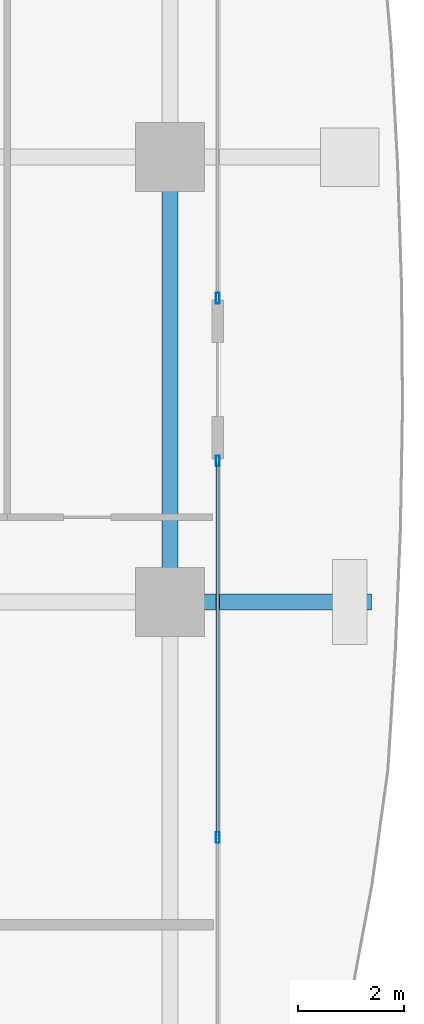
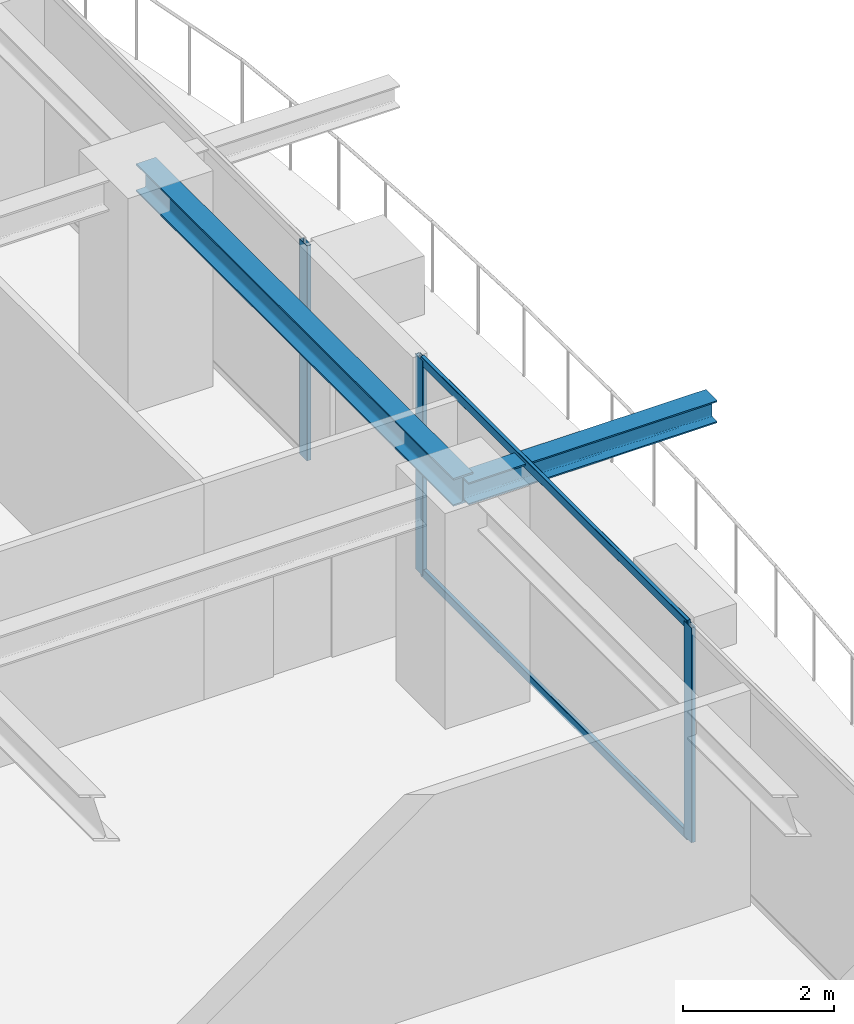
# One storey, part 14 of 36: 5 members, 2 beams, 2 elements without a shape of their own.
"""IFC4 building model written with IfcOpenShell, lengths in metres."""

from ifc_helpers import new_model, si_unit, direction, frame, origin, origin_2d, place, context, subcontext, project, spatial, hollow_rectangle, i_section, extrude, source, transform, mapped, material, layer, layer_set, material_profile, profile_set, type_object, element, aggregate, save


model = new_model("IFC4")

# Units and contexts
model_context = context("Model", 3, precision=1e-05, world=origin(), true_north=direction((0.0, 1.0)))
body_context = subcontext(model_context, "Body", "Model", "MODEL_VIEW")
ifc_project = project(units=[si_unit("LENGTHUNIT", "METRE"), si_unit("AREAUNIT", "SQUARE_METRE"), si_unit("VOLUMEUNIT", "CUBIC_METRE"), si_unit("PLANEANGLEUNIT", "RADIAN"), si_unit("MASSUNIT", "GRAM", prefix="KILO")], contexts=[model_context])

# Site, building, storey
site_placement = place(None, origin())
site = spatial("IfcSite", under=ifc_project, at=site_placement, CompositionType="ELEMENT")
building_placement = place(site_placement, origin())
building = spatial("IfcBuilding", under=site, at=building_placement, Name="Serunith Strait Residences", CompositionType="ELEMENT")
storey_placement = place(building_placement, frame((0.0, 0.0, 146.39990234375)))
storey = spatial("IfcBuildingStorey", under=building, at=storey_placement, Name="L36", CompositionType="ELEMENT", Elevation=146.39990234375)

# Beams
ifc_material_1 = material(Name="Steel S355J2", Category="steel")
ifc_material_profile_1 = material_profile(ifc_material_1, i_section(OverallWidth=0.300048828125, OverallDepth=0.449951171875, WebThickness=0.013916015625, FlangeThickness=0.02587890625, FilletRadius=0.027099609375, at=origin_2d()), Name="HEB 450")
ifc_profile_set_1 = profile_set([ifc_material_profile_1], Name="Steel S355J2")
beam_type_1 = type_object("IfcBeamType", Name="BM-HEB450", PredefinedType="BEAM", material=ifc_profile_set_1)
shared_shape_1 = source(origin(), body_context, "Body", "SweptSolid", [
    extrude(i_section(OverallWidth=0.300048828125, OverallDepth=0.449951171875, WebThickness=0.013916015625, FlangeThickness=0.02587890625, FilletRadius=0.027099609375, at=origin_2d()), origin(), (0.0, 0.0, 1.0), 8.39990234375),
])
beam_1_placement = place(storey_placement, frame((56.10009765625, 21.0, 3.26220703125), z_axis=(0.0, 1.0, 0.0), x_axis=(-1.0, 0.0, 0.0)))
element("IfcBeam", 1, at=beam_1_placement, inside=storey, type_object=beam_type_1, Name="L36 Perimeter Ring Beam 06", PredefinedType="BEAM", context=body_context, shape_type="MappedRepresentation", body=[
    mapped(shared_shape_1, transform((0.0, 0.0, 0.0), scale=1.0)),
])
ifc_material_profile_2 = material_profile(ifc_material_1, i_section(OverallWidth=0.300048828125, OverallDepth=0.360107421875, WebThickness=0.012451171875, FlangeThickness=0.0224609375, FilletRadius=0.027099609375, at=origin_2d()), Name="HEB 360")
ifc_profile_set_2 = profile_set([ifc_material_profile_2], Name="Steel S355J2")
beam_type_2 = type_object("IfcBeamType", Name="BM-HEB360", PredefinedType="BEAM", material=ifc_profile_set_2)
shared_shape_2 = source(origin(), body_context, "Body", "SweptSolid", [
    extrude(i_section(OverallWidth=0.300048828125, OverallDepth=0.360107421875, WebThickness=0.012451171875, FlangeThickness=0.0224609375, FilletRadius=0.027099609375, at=origin_2d()), origin(), (0.0, 0.0, 1.0), 3.7998046875),
])
beam_2_placement = place(storey_placement, frame((56.10009765625, 21.0, 3.277099609375), z_axis=(1.0, 0.0, 0.0), x_axis=(0.0, 1.0, 0.0)))
element("IfcBeam", 2, at=beam_2_placement, inside=storey, type_object=beam_type_2, Name="L37 Cantilevered Balcony Rib TC-E2", PredefinedType="BEAM", context=body_context, shape_type="MappedRepresentation", body=[
    mapped(shared_shape_2, transform((0.0, 0.0, 0.0), scale=1.0)),
])

# Curtain wall, members
ifc_material_2 = material(Name="Pale-Champagne Anodised Aluminium", Category="aluminium")
ifc_layer = layer(ifc_material_2, 0.199951171875, Name="Pale-Champagne Anodised Aluminium")
ifc_layer_set = layer_set([ifc_layer], Name="Pale-Champagne Anodised Aluminium")
curtain_wall_type = type_object("IfcCurtainWallType", Name="CW-SYS2", PredefinedType="NOTDEFINED", material=ifc_layer_set)
curtain_wall_1_placement = place(storey_placement, origin())
curtain_wall_1 = element("IfcCurtainWall", 3, at=curtain_wall_1_placement, inside=storey, type_object=curtain_wall_type, Name="L36 E Unitised Fritted Curtain Wall", PredefinedType="NOTDEFINED")
ifc_material_profile_3 = material_profile(ifc_material_2, hollow_rectangle(XDim=0.070068359375, YDim=0.199951171875, WallThickness=0.00390625, InnerFilletRadius=0.006103515625, OuterFilletRadius=0.010009765625, at=origin_2d()), Name="ALU 200x70x4")
ifc_profile_set_3 = profile_set([ifc_material_profile_3], Name="Pale-Champagne Anodised Aluminium")
member_type_1 = type_object("IfcMemberType", Name="CW-SYS2-MULL", PredefinedType="MULLION", material=ifc_profile_set_3)
shared_shape_3 = source(origin(), body_context, "Body", "SweptSolid", [
    extrude(hollow_rectangle(XDim=0.070068359375, YDim=0.199951171875, WallThickness=0.00390625, InnerFilletRadius=0.006103515625, OuterFilletRadius=0.010009765625, at=origin_2d()), origin(), (0.0, 0.0, 1.0), 3.47509765625),
])
member_1_placement = place(storey_placement, frame((57.0, 16.550048828125, 0.0), z_axis=(0.0, 0.0, 1.0), x_axis=(-1.0, 0.0, 0.0)))
member_1 = element("IfcMember", 4, at=member_1_placement, type_object=member_type_1, Name="CW-2 mullion 2", PredefinedType="MULLION", context=body_context, shape_type="MappedRepresentation", body=[
    mapped(shared_shape_3, transform((0.0, 0.0, 0.0), scale=1.0)),
])
member_2_placement = place(storey_placement, frame((57.0, 23.6650390625, 0.0), z_axis=(0.0, 0.0, 1.0), x_axis=(-1.0, 0.0, 0.0)))
member_2 = element("IfcMember", 5, at=member_2_placement, type_object=member_type_1, Name="CW-2 mullion 3", PredefinedType="MULLION", context=body_context, shape_type="MappedRepresentation", body=[
    mapped(shared_shape_3, transform((0.0, 0.0, 0.0), scale=1.0)),
])

# Curtain wall, member
curtain_wall_2_placement = place(storey_placement, origin())
curtain_wall_2 = element("IfcCurtainWall", 6, at=curtain_wall_2_placement, inside=storey, type_object=curtain_wall_type, Name="L36 E Unitised Fritted Curtain Wall", PredefinedType="NOTDEFINED")
member_3_placement = place(storey_placement, frame((57.0, 26.735107421875, 0.0), z_axis=(0.0, 0.0, 1.0), x_axis=(-1.0, 0.0, 0.0)))
member_3 = element("IfcMember", 7, at=member_3_placement, type_object=member_type_1, Name="CW-2 mullion 1", PredefinedType="MULLION", context=body_context, shape_type="MappedRepresentation", body=[
    mapped(shared_shape_3, transform((0.0, 0.0, 0.0), scale=1.0)),
])
aggregate(curtain_wall_2, [member_3])

# Member
ifc_material_profile_4 = material_profile(ifc_material_2, hollow_rectangle(XDim=0.06005859375, YDim=0.139892578125, WallThickness=0.00341796875, InnerFilletRadius=0.00537109375, OuterFilletRadius=0.0087890625, at=origin_2d()), Name="ALU 140x60x3.5")
ifc_profile_set_4 = profile_set([ifc_material_profile_4], Name="Pale-Champagne Anodised Aluminium")
member_type_2 = type_object("IfcMemberType", Name="CW-SYS2-TRAN", PredefinedType="USERDEFINED", material=ifc_profile_set_4)
shared_shape_4 = source(origin(), body_context, "Body", "SweptSolid", [
    extrude(hollow_rectangle(XDim=0.06005859375, YDim=0.139892578125, WallThickness=0.00341796875, InnerFilletRadius=0.00537109375, OuterFilletRadius=0.0087890625, at=origin_2d()), origin(), (0.0, 0.0, 1.0), 7.044921875),
])
member_4_placement = place(storey_placement, frame((57.0, 16.5849609375, 0.030029296875), z_axis=(0.0, 1.0, 0.0), x_axis=(-1.0, 0.0, 0.0)))
member_4 = element("IfcMember", 8, at=member_4_placement, type_object=member_type_2, Name="CW-2 transom 2.1", ObjectType="TRANSOM", PredefinedType="USERDEFINED", context=body_context, shape_type="MappedRepresentation", body=[
    mapped(shared_shape_4, transform((0.0, 0.0, 0.0), scale=1.0)),
])

member_5_placement = place(storey_placement, frame((57.0, 16.5849609375, 3.445068359375), z_axis=(0.0, 1.0, 0.0), x_axis=(-1.0, 0.0, 0.0)))
member_5 = element("IfcMember", 9, at=member_5_placement, type_object=member_type_2, Name="CW-2 transom 2.2", ObjectType="TRANSOM", PredefinedType="USERDEFINED", context=body_context, shape_type="MappedRepresentation", body=[
    mapped(shared_shape_4, transform((0.0, 0.0, 0.0), scale=1.0)),
])

aggregate(curtain_wall_1, [member_1, member_2, member_4, member_5])

save(model, "model.ifc")
